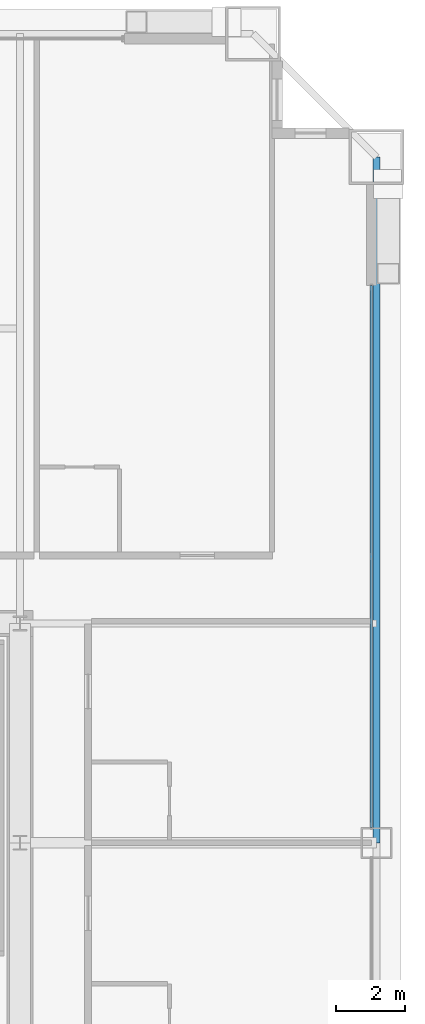
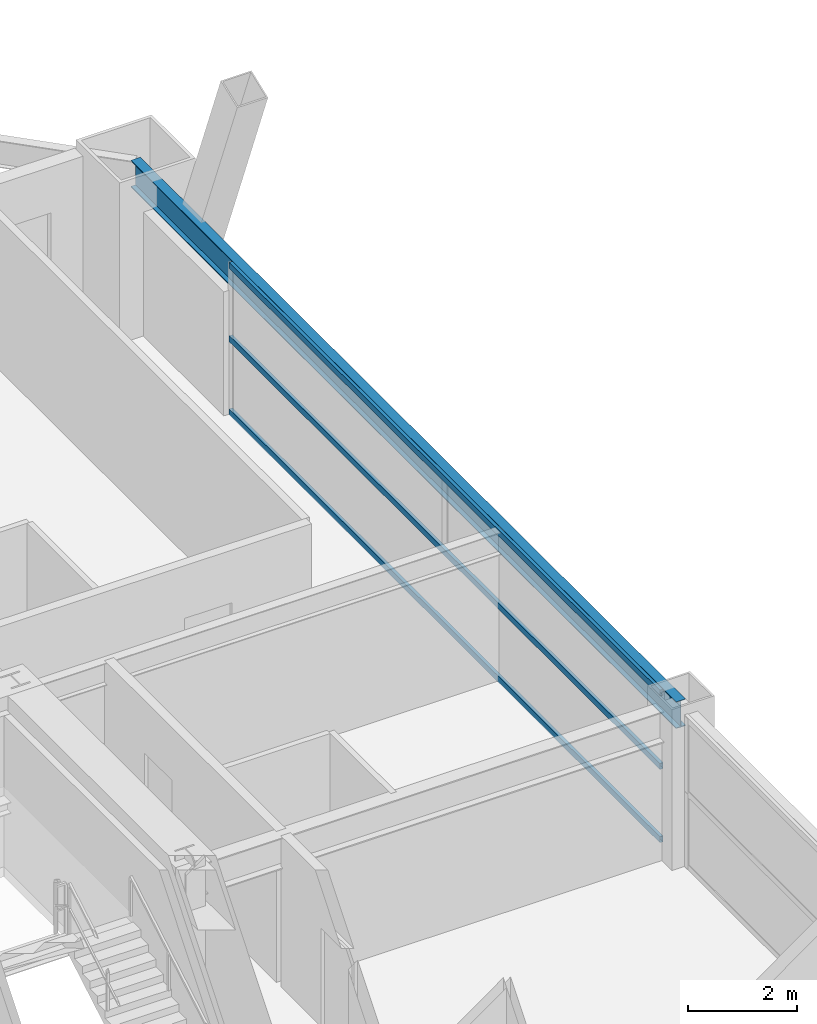
# One storey, part 31 of 41: 3 members, 1 beam, 1 element without a shape of its own.
"""IFC4 building model written with IfcOpenShell, lengths in metres."""

from ifc_helpers import new_model, si_unit, direction, frame, origin, origin_2d, place, context, subcontext, project, spatial, hollow_rectangle, i_section, extrude, source, transform, mapped, material, layer, layer_set, material_profile, profile_set, type_object, element, aggregate, save


model = new_model("IFC4")

# Units and contexts
model_context = context("Model", 3, precision=1e-05, world=origin(), true_north=direction((0.0, 1.0)))
body_context = subcontext(model_context, "Body", "Model", "MODEL_VIEW")
ifc_project = project(units=[si_unit("LENGTHUNIT", "METRE"), si_unit("AREAUNIT", "SQUARE_METRE"), si_unit("VOLUMEUNIT", "CUBIC_METRE"), si_unit("PLANEANGLEUNIT", "RADIAN"), si_unit("MASSUNIT", "GRAM", prefix="KILO"), si_unit("THERMODYNAMICTEMPERATUREUNIT", "KELVIN"), si_unit("POWERUNIT", "WATT")], contexts=[model_context])

# Site, building, storey
site_placement = place(None, origin())
site = spatial("IfcSite", under=ifc_project, at=site_placement, CompositionType="ELEMENT")
building_placement = place(site_placement, origin())
building = spatial("IfcBuilding", under=site, at=building_placement, Name="Yuzanri Waterfront Tower", CompositionType="ELEMENT")
storey_placement = place(building_placement, frame((0.0, 0.0, 122.60009765625)))
storey = spatial("IfcBuildingStorey", under=building, at=storey_placement, Name="L32", CompositionType="ELEMENT", Elevation=122.60009765625)

# Beam
ifc_material_1 = material(Name="Steel Q355B", Category="steel")
ifc_material_profile_1 = material_profile(ifc_material_1, i_section(OverallWidth=0.199951171875, OverallDepth=0.60009765625, WebThickness=0.010986328125, FlangeThickness=0.01708984375, at=origin_2d()), Name="HN 600x200x11x17")
ifc_profile_set_1 = profile_set([ifc_material_profile_1], Name="Steel Q355B")
beam_type = type_object("IfcBeamType", Name="Perimeter Spandrel Q355B HN 600x200", PredefinedType="SPANDREL", material=ifc_profile_set_1)
shared_shape_1 = source(origin(), body_context, "Body", "SweptSolid", [
    extrude(i_section(OverallWidth=0.199951171875, OverallDepth=0.60009765625, WebThickness=0.010986328125, FlangeThickness=0.01708984375, at=origin_2d()), origin(), (0.0, 0.0, 1.0), 20.0),
])
beam_placement = place(storey_placement, frame((60.60009765625, 25.800048828125, 3.079833984375), z_axis=(0.0, 1.0, 0.0), x_axis=(-1.0, 0.0, 0.0)))
element("IfcBeam", 1, at=beam_placement, inside=storey, type_object=beam_type, Name="L32 Perimeter Spandrel E2-E3", PredefinedType="SPANDREL", context=body_context, shape_type="MappedRepresentation", body=[
    mapped(shared_shape_1, transform((0.0, 0.0, 0.0), scale=1.0)),
])

# Curtain wall, members
ifc_material_2 = material(Name="Anodized Architectural Bronze", Category="metal")
ifc_layer = layer(ifc_material_2, 0.159912109375)
ifc_layer_set = layer_set([ifc_layer], Name="Anodized Architectural Bronze")
curtain_wall_type = type_object("IfcCurtainWallType", Name="Anodized Bronze Hotel Upper-Tier Solar-Control Unitized Curtain Wall 7800", PredefinedType="NOTDEFINED", material=ifc_layer_set)
curtain_wall_placement = place(storey_placement, origin())
curtain_wall = element("IfcCurtainWall", 2, at=curtain_wall_placement, inside=storey, type_object=curtain_wall_type, Name="L32 Curtain Wall CW-L32-ER", PredefinedType="NOTDEFINED")
ifc_material_3 = material(Name="Anodized Architectural Bronze", Category="metal")
ifc_material_profile_2 = material_profile(ifc_material_3, hollow_rectangle(XDim=0.070068359375, YDim=0.135009765625, WallThickness=0.00341796875, at=origin_2d()), Name="CWT 70x135")
ifc_profile_set_2 = profile_set([ifc_material_profile_2], Name="Anodized Architectural Bronze")
member_type = type_object("IfcMemberType", Name="Anodized Bronze Standard Curtain-Wall Transom 70x135", PredefinedType="USERDEFINED", material=ifc_profile_set_2)
shared_shape_2 = source(origin(), body_context, "Body", "SweptSolid", [
    extrude(hollow_rectangle(XDim=0.070068359375, YDim=0.135009765625, WallThickness=0.00341796875, at=origin_2d()), origin(), (0.0, 0.0, 1.0), 15.800048828125),
])
member_1_placement = place(storey_placement, frame((60.449951171875, 26.25, 0.0498046875), z_axis=(0.0, 1.0, 0.0), x_axis=(-1.0, 0.0, 0.0)))
member_1 = element("IfcMember", 3, at=member_1_placement, type_object=member_type, Name="CW-L32-ER Transom 1", ObjectType="TRANSOM", PredefinedType="USERDEFINED", context=body_context, shape_type="MappedRepresentation", body=[
    mapped(shared_shape_2, transform((0.0, 0.0, 0.0), scale=1.0)),
])
member_2_placement = place(storey_placement, frame((60.449951171875, 26.25, 1.68994140625), z_axis=(0.0, 1.0, 0.0), x_axis=(-1.0, 0.0, 0.0)))
member_2 = element("IfcMember", 4, at=member_2_placement, type_object=member_type, Name="CW-L32-ER Transom 2", ObjectType="TRANSOM", PredefinedType="USERDEFINED", context=body_context, shape_type="MappedRepresentation", body=[
    mapped(shared_shape_2, transform((0.0, 0.0, 0.0), scale=1.0)),
])
member_3_placement = place(storey_placement, frame((60.449951171875, 26.25, 3.329833984375), z_axis=(0.0, 1.0, 0.0), x_axis=(-1.0, 0.0, 0.0)))
member_3 = element("IfcMember", 5, at=member_3_placement, type_object=member_type, Name="CW-L32-ER Transom 3", ObjectType="TRANSOM", PredefinedType="USERDEFINED", context=body_context, shape_type="MappedRepresentation", body=[
    mapped(shared_shape_2, transform((0.0, 0.0, 0.0), scale=1.0)),
])
aggregate(curtain_wall, [member_1, member_2, member_3])

save(model, "model.ifc")
